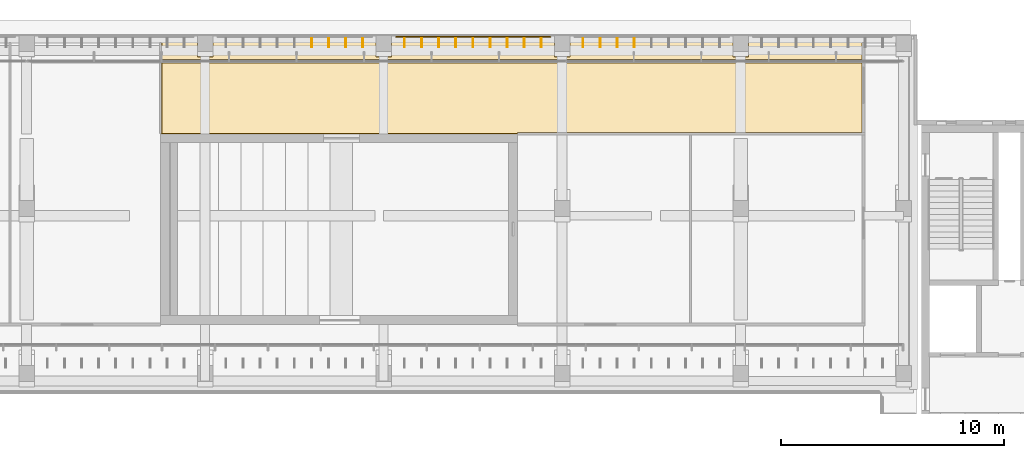
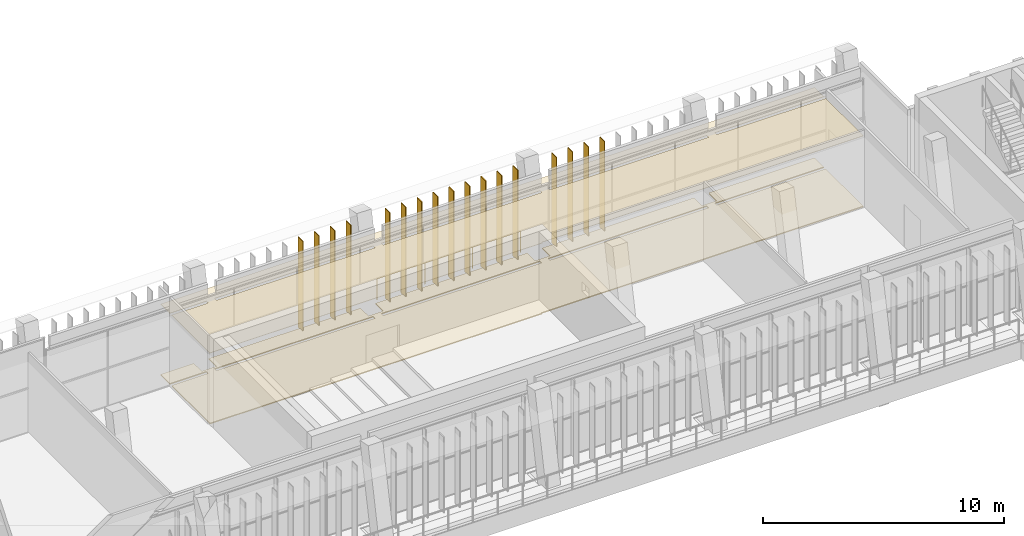
# One storey, part 70 of 74: 17 shading devices, 2 coverings, 1 railing.
"""IFC4 building model written with IfcOpenShell, lengths in metres."""

from ifc_helpers import new_model, si_unit, direction, frame, origin, origin_2d, place, context, subcontext, project, spatial, polyline, rectangle, circle, outline, extrude, material, layer, layer_set, type_object, element, save


model = new_model("IFC4")

# Units and contexts
model_context = context("Model", 3, precision=1e-05, world=origin(), true_north=direction((0.0, 1.0)))
body_context = subcontext(model_context, "Body", "Model", "MODEL_VIEW")
ifc_project = project(units=[si_unit("LENGTHUNIT", "METRE"), si_unit("AREAUNIT", "SQUARE_METRE"), si_unit("VOLUMEUNIT", "CUBIC_METRE"), si_unit("PLANEANGLEUNIT", "RADIAN"), si_unit("MASSUNIT", "GRAM", prefix="KILO")], contexts=[model_context])

# Site, building, storey
site_placement = place(None, origin())
site = spatial("IfcSite", under=ifc_project, at=site_placement, CompositionType="ELEMENT")
building_placement = place(site_placement, origin())
building = spatial("IfcBuilding", under=site, at=building_placement, Name="Lantern Court Media Centre", CompositionType="ELEMENT")
storey_placement = place(building_placement, frame((0.0, 0.0, 19.199951171875)))
storey = spatial("IfcBuildingStorey", under=building, at=storey_placement, Name="L04", CompositionType="ELEMENT", Elevation=19.199951171875)

# Covering
ifc_material_1 = material(Name="Carpet")
ifc_layer_1 = layer(ifc_material_1, 0.050048828125)
ifc_layer_set_1 = layer_set([ifc_layer_1], Name="Carpet")
covering_type_1 = type_object("IfcCoveringType", Name="Carpet floor finish", PredefinedType="FLOORING", material=ifc_layer_set_1)
covering_1_placement = place(storey_placement, origin())
element("IfcCovering", 1, at=covering_1_placement, inside=storey, type_object=covering_type_1, Name="Preview Theatre Foyer floor finish", PredefinedType="FLOORING", context=body_context, shape_type="SweptSolid", body=[
    extrude(outline(polyline([(77.4326171875, 115.699951171875), (77.4326171875, 114.929931640625), (72.195068359375, 114.925048828125), (72.199951171875, 114.77001953125), (77.4326171875, 114.77001953125), (77.4326171875, 111.655029296875), (62.0, 111.655029296875), (61.9951171875, 111.60498046875), (46.054931640625, 111.60498046875), (46.054931640625, 114.77001953125), (47.804931640625, 114.77490234375), (47.800537109375, 114.929931640625), (46.054931640625, 114.929931640625), (46.054931640625, 115.699951171875), (47.64501953125, 115.699951171875), (47.64990234375, 115.044921875), (48.353515625, 115.04638671875), (48.35498046875, 115.699951171875), (55.64501953125, 115.699951171875), (55.64990234375, 115.044921875), (56.353515625, 115.04638671875), (56.35498046875, 115.699951171875), (63.64501953125, 115.699951171875), (63.64990234375, 115.044921875), (64.353515625, 115.04638671875), (64.35498046875, 115.699951171875), (71.64501953125, 115.699951171875), (71.64990234375, 115.044921875), (72.353515625, 115.04638671875), (72.35498046875, 115.699951171875), (77.4326171875, 115.699951171875)]), holes=[polyline([(64.195068359375, 114.77490234375), (71.800048828125, 114.77001953125), (71.804931640625, 114.925048828125), (64.199951171875, 114.929931640625), (64.195068359375, 114.77490234375)]), polyline([(56.199951171875, 114.929931640625), (56.199951171875, 114.77001953125), (63.804931640625, 114.77490234375), (63.800048828125, 114.929931640625), (56.199951171875, 114.929931640625)]), polyline([(48.195068359375, 114.77490234375), (55.800048828125, 114.77001953125), (55.804931640625, 114.925048828125), (48.199951171875, 114.929931640625), (48.195068359375, 114.77490234375)])]), origin(), (0.0, 0.0, 1.0), 0.050048828125),
])

# Railing
ifc_material_2 = material(Name="Powder-coated steel", Category="steel")
railing_type = type_object("IfcRailingType", Name="Floor edge guard 1100", PredefinedType="GUARDRAIL", material=ifc_material_2)
railing_placement = place(storey_placement, frame((56.56591796875, 115.93994140625, 0.0)))
element("IfcRailing", 2, at=railing_placement, inside=storey, type_object=railing_type, Name="L04 edge guard 135", PredefinedType="GUARDRAIL", context=body_context, shape_type="SweptSolid", body=[
    extrude(circle(Radius=0.02392578125, at=origin_2d()), frame((0.0, 0.0, 1.076171875), z_axis=(1.0, 0.0, 0.0), x_axis=(0.0, 1.0, 0.0)), (0.0, 0.0, 1.0), 6.899169921875),
    extrude(circle(Radius=0.02099609375, at=origin_2d()), origin(), (0.0, 0.0, 1.0), 1.052001953125),
    extrude(circle(Radius=0.02099609375, at=origin_2d()), frame((1.14990234375, 0.0, 0.0)), (0.0, 0.0, 1.0), 1.052001953125),
    extrude(circle(Radius=0.02099609375, at=origin_2d()), frame((2.2998046875, 0.0, 0.0)), (0.0, 0.0, 1.0), 1.052001953125),
    extrude(circle(Radius=0.02099609375, at=origin_2d()), frame((3.44970703125, 0.0, 0.0)), (0.0, 0.0, 1.0), 1.052001953125),
    extrude(circle(Radius=0.02099609375, at=origin_2d()), frame((4.599365234375, 0.0, 0.0)), (0.0, 0.0, 1.0), 1.052001953125),
    extrude(circle(Radius=0.02099609375, at=origin_2d()), frame((5.749267578125, 0.0, 0.0)), (0.0, 0.0, 1.0), 1.052001953125),
    extrude(circle(Radius=0.02099609375, at=origin_2d()), frame((6.899169921875, 0.0, 0.0)), (0.0, 0.0, 1.0), 1.052001953125),
])

# Covering
ifc_material_3 = material(Name="Mineral fibre ceiling tile")
ifc_layer_2 = layer(ifc_material_3, 0.02001953125)
ifc_layer_set_2 = layer_set([ifc_layer_2], Name="Mineral fibre ceiling tile")
covering_type_2 = type_object("IfcCoveringType", Name="Suspended ceiling tile", PredefinedType="CEILING", material=ifc_layer_set_2)
covering_2_placement = place(storey_placement, frame((0.0, 0.0, 3.60009765625)))
element("IfcCovering", 3, at=covering_2_placement, inside=storey, type_object=covering_type_2, Name="Preview Theatre Foyer ceiling", PredefinedType="CEILING", context=body_context, shape_type="SweptSolid", body=[
    extrude(outline(polyline([(77.5, 114.7705078125), (77.43701171875, 114.77001953125), (77.43701171875, 111.650390625), (62.0, 111.650390625), (61.99951171875, 111.6005859375), (46.0, 111.6005859375), (46.050537109375, 111.60498046875), (46.050537109375, 114.77001953125), (46.0, 114.7744140625), (47.800537109375, 114.77490234375), (47.800048828125, 114.925537109375), (46.0, 114.925537109375), (46.050537109375, 114.929931640625), (46.050537109375, 115.699951171875), (77.43701171875, 115.699951171875), (77.43701171875, 114.929931640625), (77.5, 114.925537109375), (72.199951171875, 114.925537109375), (72.199462890625, 114.77490234375), (77.5, 114.7705078125)]), holes=[polyline([(64.199462890625, 114.77490234375), (71.800048828125, 114.7744140625), (71.800537109375, 114.925048828125), (64.199951171875, 114.925537109375), (64.199462890625, 114.77490234375)]), polyline([(56.199951171875, 114.925537109375), (56.199951171875, 114.7744140625), (63.800537109375, 114.77490234375), (63.800048828125, 114.925537109375), (56.199951171875, 114.925537109375)]), polyline([(48.199462890625, 114.77490234375), (55.800048828125, 114.7744140625), (55.800537109375, 114.925048828125), (48.199951171875, 114.925537109375), (48.199462890625, 114.77490234375)])]), origin(), (0.0, 0.0, 1.0), 0.02001953125),
])

# Shading devices
ifc_material_4 = material(Name="Bronze anodised aluminium louvre", Category="aluminium")
ifc_layer_3 = layer(ifc_material_4, 0.0400390625)
ifc_layer_set_3 = layer_set([ifc_layer_3], Name="Bronze anodised aluminium louvre")
shading_device_type = type_object("IfcShadingDeviceType", Name="Vertical louvre 40x400 full storey", PredefinedType="USERDEFINED", material=ifc_layer_set_3)
for number, where, z_axis, x_axis, name in (
    (4, (52.7666015625, 115.679931640625, 0.0), (0.0, 0.0, 1.0), (1.0, 0.0, 0.0), "Vertical louvre N outer L04"),
    (5, (53.533447265625, 115.679931640625, 0.0), (0.0, 0.0, 1.0), (1.0, 0.0, 0.0), "Vertical louvre N outer L04"),
    (6, (54.300048828125, 115.679931640625, 0.0), (0.0, 0.0, 1.0), (1.0, 0.0, 0.0), "Vertical louvre N outer L04"),
    (7, (55.066650390625, 115.679931640625, 0.0), (0.0, 0.0, 1.0), (1.0, 0.0, 0.0), "Vertical louvre N outer L04"),
    (8, (56.933349609375, 115.679931640625, 0.0), (0.0, 0.0, 1.0), (1.0, 0.0, 0.0), "Vertical louvre N outer L04"),
    (9, (57.699951171875, 115.679931640625, 0.0), (0.0, 0.0, 1.0), (1.0, 0.0, 0.0), "Vertical louvre N outer L04"),
    (10, (58.466552734375, 115.679931640625, 0.0), (0.0, 0.0, 1.0), (1.0, 0.0, 0.0), "Vertical louvre N outer L04"),
    (11, (59.2333984375, 115.679931640625, 0.0), (0.0, 0.0, 1.0), (1.0, 0.0, 0.0), "Vertical louvre N outer L04"),
    (12, (60.0, 115.679931640625, 0.0), (0.0, 0.0, 1.0), (1.0, 0.0, 0.0), "Vertical louvre N outer L04"),
    (13, (60.7666015625, 115.679931640625, 0.0), (0.0, 0.0, 1.0), (1.0, 0.0, 0.0), "Vertical louvre N outer L04"),
    (14, (61.533447265625, 115.679931640625, 0.0), (0.0, 0.0, 1.0), (1.0, 0.0, 0.0), "Vertical louvre N outer L04"),
    (15, (62.300048828125, 115.679931640625, 0.0), (0.0, 0.0, 1.0), (1.0, 0.0, 0.0), "Vertical louvre N outer L04"),
    (16, (63.066650390625, 115.679931640625, 0.0), (0.0, 0.0, 1.0), (1.0, 0.0, 0.0), "Vertical louvre N outer L04"),
    (17, (64.933349609375, 115.679931640625, 0.0), (0.0, 0.0, 1.0), (1.0, 0.0, 0.0), "Vertical louvre N outer L04"),
    (18, (65.699951171875, 115.679931640625, 0.0), (0.0, 0.0, 1.0), (1.0, 0.0, 0.0), "Vertical louvre N outer L04"),
    (19, (66.466552734375, 115.679931640625, 0.0), (0.0, 0.0, 1.0), (1.0, 0.0, 0.0), "Vertical louvre N outer L04"),
    (20, (67.2333984375, 115.679931640625, 0.0), (0.0, 0.0, 1.0), (1.0, 0.0, 0.0), "Vertical louvre N outer L04"),
):
    element("IfcShadingDevice", number, at=place(storey_placement, frame(where, z_axis=z_axis, x_axis=x_axis)), inside=storey, type_object=shading_device_type, Name=name, ObjectType="VERTICAL LOUVRE", PredefinedType="USERDEFINED", context=body_context, shape_type="SweptSolid", body=[
        extrude(rectangle(XDim=0.0400390625, YDim=0.39990234375, at=origin_2d()), origin(), (0.0, 0.0, 1.0), 4.580078125),
    ])

save(model, "model.ifc")
